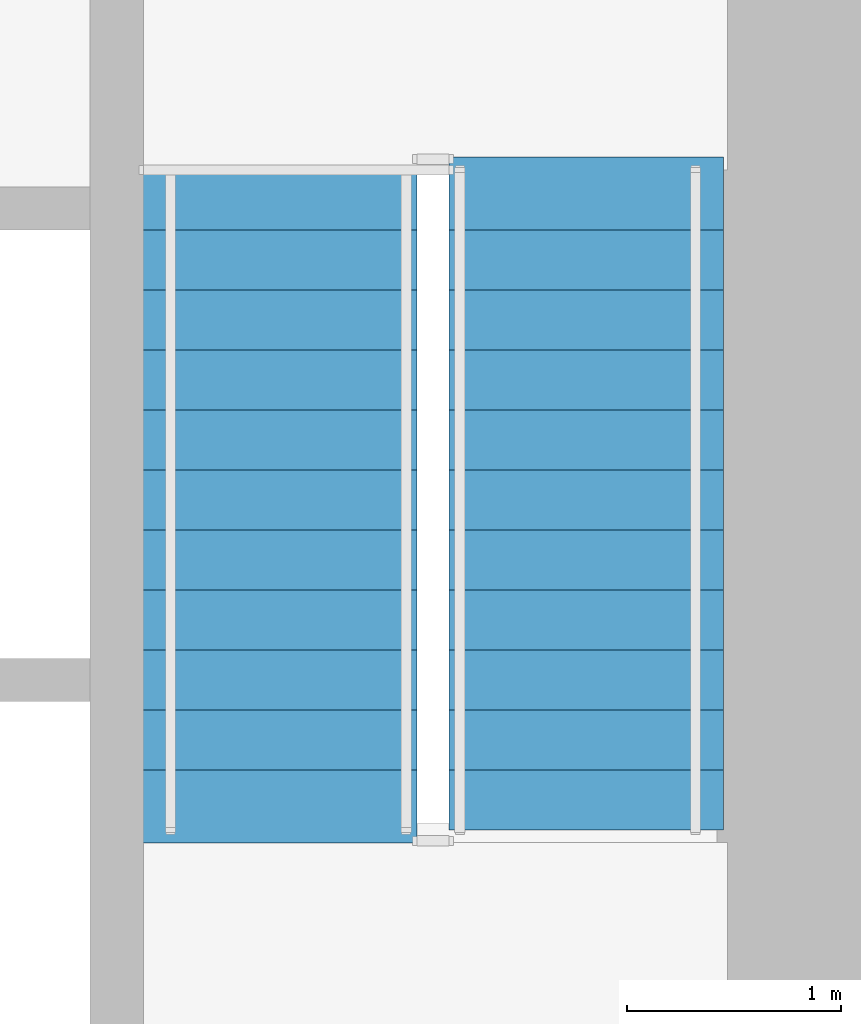
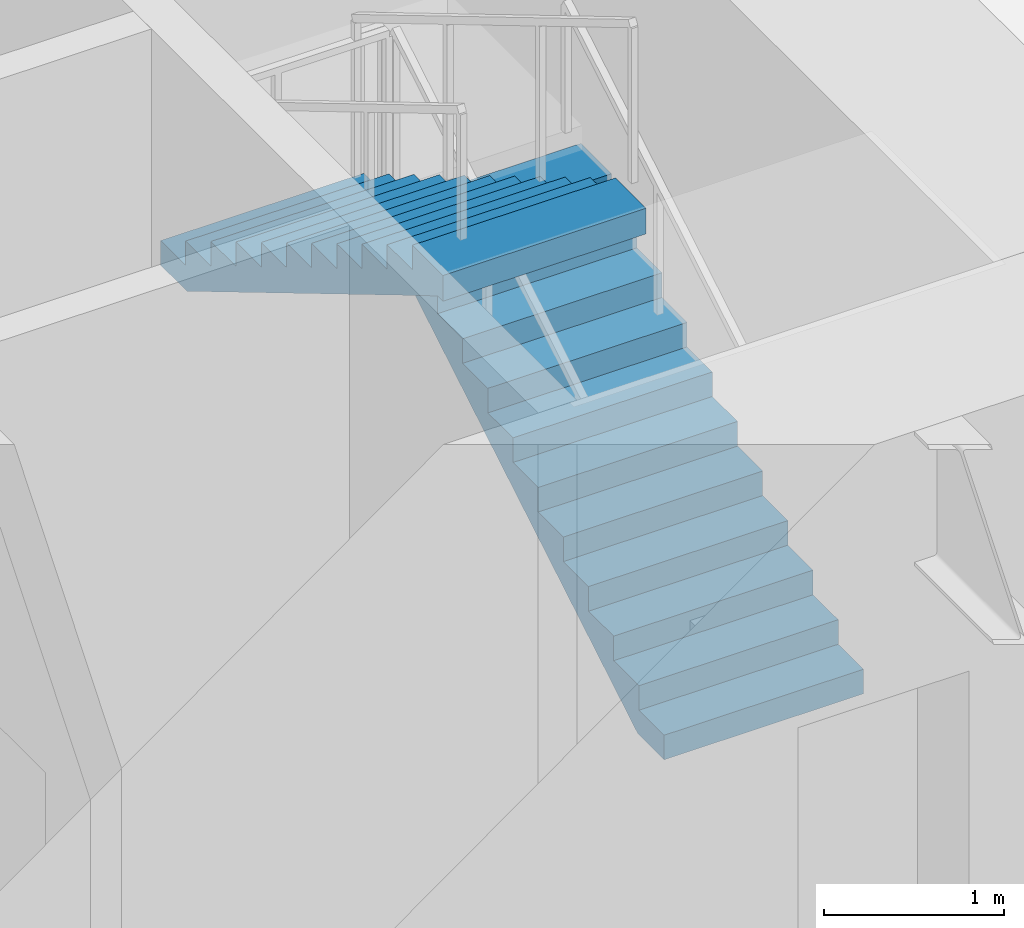
# One storey, part 10 of 18: 2 stair flights, 1 element without a shape of its own.
"""IFC4 building model written with IfcOpenShell, lengths in metres."""

from ifc_helpers import new_model, si_unit, direction, frame, origin, place, context, subcontext, project, spatial, polyline, outline, extrude, material, type_object, element, aggregate, save


model = new_model("IFC4")

# Units and contexts
model_context = context("Model", 3, precision=1e-05, world=origin(), true_north=direction((0.0, 1.0)))
body_context = subcontext(model_context, "Body", "Model", "MODEL_VIEW")
ifc_project = project(units=[si_unit("LENGTHUNIT", "METRE"), si_unit("AREAUNIT", "SQUARE_METRE"), si_unit("VOLUMEUNIT", "CUBIC_METRE"), si_unit("PLANEANGLEUNIT", "RADIAN"), si_unit("MASSUNIT", "GRAM", prefix="KILO")], contexts=[model_context])

# Site, building, storey
site_placement = place(None, origin())
site = spatial("IfcSite", under=ifc_project, at=site_placement, CompositionType="ELEMENT")
building_placement = place(site_placement, origin())
building = spatial("IfcBuilding", under=site, at=building_placement, Name="Sennacour Bend Tower", CompositionType="ELEMENT")
storey_placement = place(building_placement, frame((0.0, 0.0, 29.0)))
storey = spatial("IfcBuildingStorey", under=building, at=storey_placement, Name="L05", CompositionType="ELEMENT", Elevation=29.0)

# Stair, stair flights
ifc_material = material(Name="Concrete C40/50", Category="concrete")
stair_type = type_object("IfcStairType", Name="ST-DOGLEG", PredefinedType="HALF_TURN_STAIR", material=ifc_material)
stair_placement = place(storey_placement, origin())
stair = element("IfcStair", 1, at=stair_placement, inside=storey, type_object=stair_type, Name="L05 Exit stair B2", PredefinedType="HALF_TURN_STAIR")
stair_flight_type = type_object("IfcStairFlightType", Name="SFL-RC", PredefinedType="STRAIGHT", material=ifc_material)
stair_flight_1_placement = place(storey_placement, frame((20.68994140625, 38.699951171875, 0.0), z_axis=(0.0, 0.0, 1.0), x_axis=(0.0, 1.0, 0.0)))
stair_flight_1 = element("IfcStairFlight", 2, at=stair_flight_1_placement, type_object=stair_flight_type, Name="SB2 flight 1", NumberOfRisers=12, NumberOfTreads=11, PredefinedType="STRAIGHT", RiserHeight=0.166666667, TreadLength=0.28, context=body_context, shape_type="SweptSolid", body=[
    extrude(outline(polyline([(0.0, 0.0), (0.0, 0.166748046875), (0.280029296875, 0.166748046875), (0.280029296875, 0.333251953125), (0.56005859375, 0.333251953125), (0.56005859375, 0.5), (0.840087890625, 0.5), (0.840087890625, 0.666748046875), (1.1201171875, 0.666748046875), (1.1201171875, 0.833251953125), (1.39990234375, 0.833251953125), (1.39990234375, 1.0), (1.679931640625, 1.0), (1.679931640625, 1.166748046875), (1.9599609375, 1.166748046875), (1.9599609375, 1.333251953125), (2.239990234375, 1.333251953125), (2.239990234375, 1.5), (2.52001953125, 1.5), (2.52001953125, 1.666748046875), (2.800048828125, 1.666748046875), (2.800048828125, 1.833251953125), (3.080078125, 1.833251953125), (3.139892578125, 1.833251953125), (3.139892578125, 1.658935546875), (3.080078125, 1.658935546875), (0.29296875, 0.0), (0.0, 0.0)])), frame((0.0, 0.64013671875, 0.0), z_axis=(0.0, -1.0, 0.0), x_axis=(1.0, 0.0, 0.0)), (0.0, 0.0, 1.0), 1.280029296875),
])
stair_flight_2_placement = place(storey_placement, frame((19.24755859375, 41.780029296875, 2.0), z_axis=(0.0, 0.0, 1.0), x_axis=(0.0, -1.0, 0.0)))
stair_flight_2 = element("IfcStairFlight", 3, at=stair_flight_2_placement, type_object=stair_flight_type, Name="SB2 flight 2", NumberOfRisers=12, NumberOfTreads=11, PredefinedType="STRAIGHT", RiserHeight=0.166666667, TreadLength=0.28, context=body_context, shape_type="SweptSolid", body=[
    extrude(outline(polyline([(0.0, 0.0), (0.0, 0.166748046875), (0.280029296875, 0.166748046875), (0.280029296875, 0.333251953125), (0.56005859375, 0.333251953125), (0.56005859375, 0.5), (0.840087890625, 0.5), (0.840087890625, 0.666748046875), (1.1201171875, 0.666748046875), (1.1201171875, 0.833251953125), (1.39990234375, 0.833251953125), (1.39990234375, 1.0), (1.679931640625, 1.0), (1.679931640625, 1.166748046875), (1.9599609375, 1.166748046875), (1.9599609375, 1.333251953125), (2.239990234375, 1.333251953125), (2.239990234375, 1.5), (2.52001953125, 1.5), (2.52001953125, 1.666748046875), (2.800048828125, 1.666748046875), (2.800048828125, 1.833251953125), (3.080078125, 1.833251953125), (3.139892578125, 1.833251953125), (3.139892578125, 1.658935546875), (3.080078125, 1.658935546875), (0.29296875, 0.0), (0.0, 0.0)])), frame((0.0, 0.65234375, 0.0), z_axis=(0.0, -1.0, 0.0), x_axis=(1.0, 0.0, 0.0)), (0.0, 0.0, 1.0), 1.304931640625),
])
aggregate(stair, [stair_flight_1, stair_flight_2])

save(model, "model.ifc")
